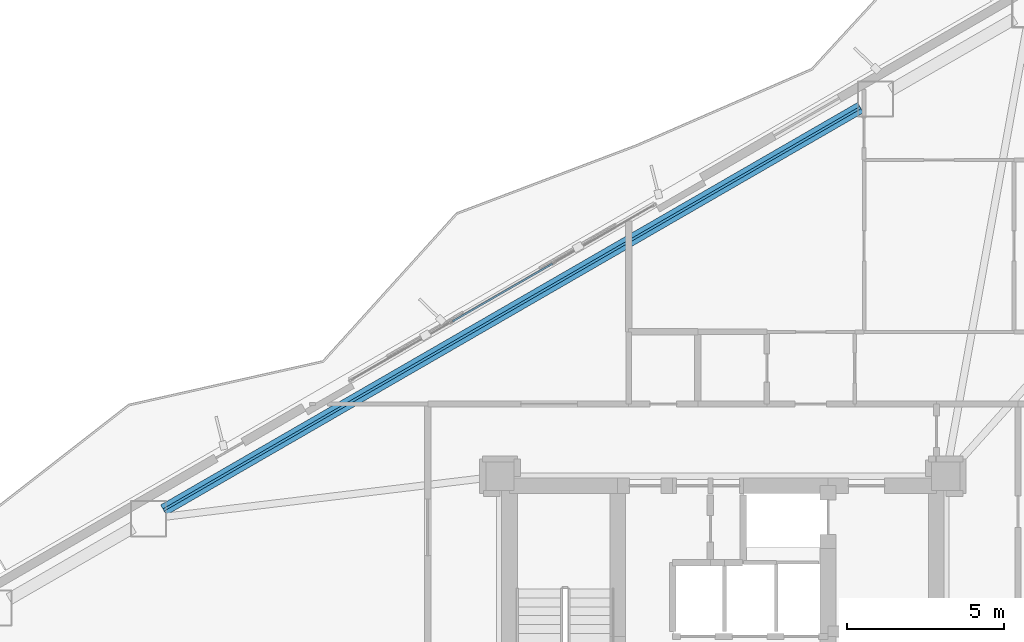
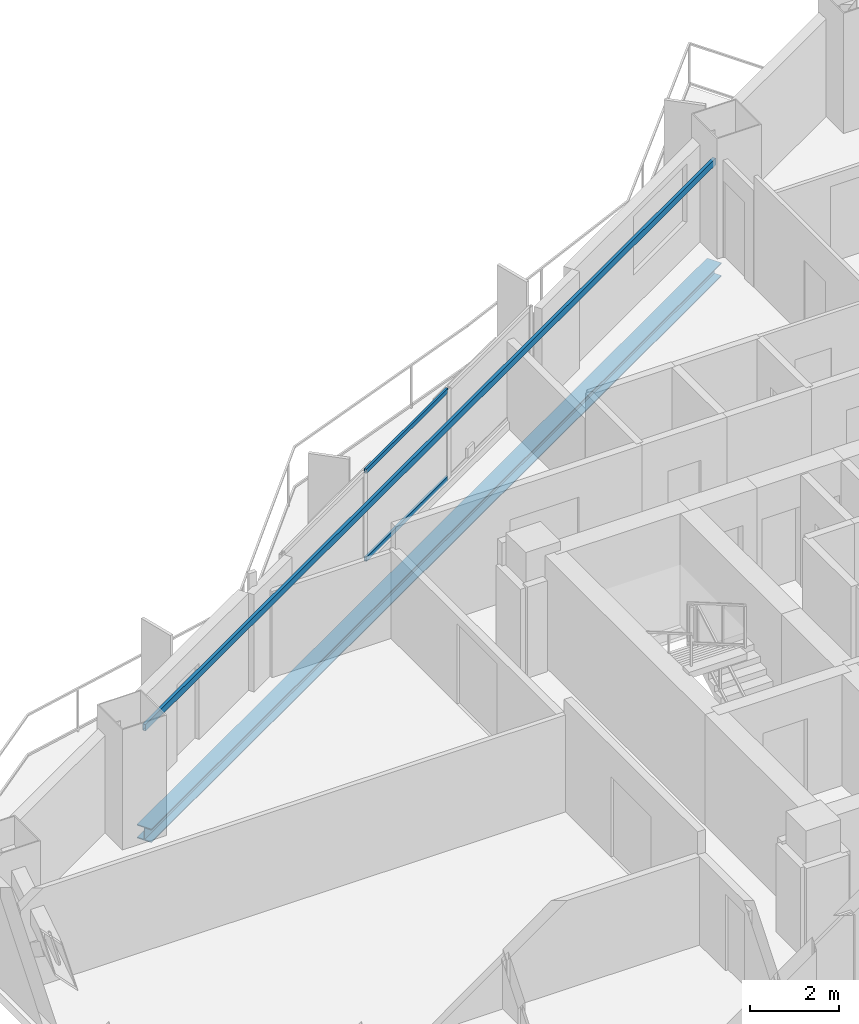
# One storey, part 12 of 22: 2 beams, 2 members, 1 element without a shape of its own.
"""IFC4 building model written with IfcOpenShell, lengths in metres."""

from ifc_helpers import new_model, si_unit, direction, frame, origin, origin_2d, place, context, subcontext, project, spatial, hollow_rectangle, i_section, extrude, material, layer, layer_set, material_profile, profile_set, type_object, element, aggregate, save


model = new_model("IFC4")

# Units and contexts
model_context = context("Model", 3, precision=1e-05, world=origin(), true_north=direction((0.0, 1.0)))
body_context = subcontext(model_context, "Body", "Model", "MODEL_VIEW")
ifc_project = project(units=[si_unit("LENGTHUNIT", "METRE"), si_unit("AREAUNIT", "SQUARE_METRE"), si_unit("VOLUMEUNIT", "CUBIC_METRE"), si_unit("PLANEANGLEUNIT", "RADIAN"), si_unit("MASSUNIT", "GRAM", prefix="KILO")], contexts=[model_context])

# Site, building, storey
site_placement = place(None, origin())
site = spatial("IfcSite", under=ifc_project, at=site_placement, CompositionType="ELEMENT")
building_placement = place(site_placement, origin())
building = spatial("IfcBuilding", under=site, at=building_placement, Name="Mersakhor Tower and Convention Hall", CompositionType="ELEMENT")
storey_placement = place(building_placement, frame((0.0, 0.0, 90.0)))
storey = spatial("IfcBuildingStorey", under=building, at=storey_placement, Name="L24", CompositionType="ELEMENT", Elevation=90.0)

# Beams
ifc_material_1 = material(Name="Steel S355", Category="steel")
ifc_material_profile_1 = material_profile(ifc_material_1, hollow_rectangle(XDim=0.080078125, YDim=0.179931640625, WallThickness=0.008056640625, at=origin_2d()), Name="RHS 180x80x8")
ifc_profile_set_1 = profile_set([ifc_material_profile_1], Name="Steel S355")
beam_type_1 = type_object("IfcBeamType", Name="BM-GRT-RHS180", PredefinedType="USERDEFINED", material=ifc_profile_set_1)
beam_1_placement = place(storey_placement, frame((11.18310546875, 31.976318359375, 2.47998046875), z_axis=(0.866022538643, 0.500004962538, 0.0), x_axis=(-0.500004962538, 0.866022538643, 0.0)))
element("IfcBeam", 1, at=beam_1_placement, inside=storey, type_object=beam_type_1, Name="L24 Facade Support Girt GRT-F1", ObjectType="GIRT", PredefinedType="USERDEFINED", context=body_context, shape_type="SweptSolid", body=[
    extrude(hollow_rectangle(XDim=0.080078125, YDim=0.179931640625, WallThickness=0.008056640625, at=origin_2d()), origin(), (0.0, 0.0, 1.0), 25.633544921875),
])
ifc_material_2 = material(Name="Steel S355", Category="steel")
ifc_material_profile_2 = material_profile(ifc_material_2, i_section(OverallWidth=0.374755859375, OverallDepth=0.37451171875, WebThickness=0.0166015625, FlangeThickness=0.027099609375, at=origin_2d()), Name="UC 356x368x202")
ifc_profile_set_2 = profile_set([ifc_material_profile_2], Name="Steel S355")
beam_type_2 = type_object("IfcBeamType", Name="BM-SPD-UC356", PredefinedType="SPANDREL", material=ifc_profile_set_2)
beam_2_placement = place(storey_placement, frame((11.18310546875, 31.976318359375, -0.437255859375), z_axis=(0.866022538643, 0.500004962538, 0.0), x_axis=(-0.500004962538, 0.866022538643, 0.0)))
element("IfcBeam", 2, at=beam_2_placement, inside=storey, type_object=beam_type_2, Name="L24 Perimeter Spandrel Beam SPB-02", PredefinedType="SPANDREL", context=body_context, shape_type="SweptSolid", body=[
    extrude(i_section(OverallWidth=0.374755859375, OverallDepth=0.37451171875, WebThickness=0.0166015625, FlangeThickness=0.027099609375, at=origin_2d()), origin(), (0.0, 0.0, 1.0), 25.633544921875),
])

# Curtain wall, members
ifc_material_3 = material(Name="Dark solar low-E aluminium curtain wall", Category="aluminium")
ifc_layer = layer(ifc_material_3, 0.159912109375)
ifc_layer_set = layer_set([ifc_layer], Name="Dark solar low-E aluminium curtain wall")
curtain_wall_type = type_object("IfcCurtainWallType", Name="CW-SYS-01", PredefinedType="USERDEFINED", material=ifc_layer_set)
curtain_wall_placement = place(storey_placement, origin())
curtain_wall = element("IfcCurtainWall", 3, at=curtain_wall_placement, inside=storey, type_object=curtain_wall_type, Name="L24 Dark-Glass Curtain Wall F1-B2", ObjectType="CURTAIN WALL", PredefinedType="USERDEFINED")
ifc_material_4 = material(Name="Anodised aluminium EN AW-6063 T6", Category="aluminium")
ifc_material_profile_3 = material_profile(ifc_material_4, hollow_rectangle(XDim=0.06005859375, YDim=0.1201171875, WallThickness=0.0048828125, at=origin_2d()), Name="RHS 120x60x5")
ifc_profile_set_3 = profile_set([ifc_material_profile_3], Name="Anodised aluminium EN AW-6063 T6")
member_type = type_object("IfcMemberType", Name="CWT-120x60", PredefinedType="USERDEFINED", material=ifc_profile_set_3)
member_1_placement = place(storey_placement, frame((20.394287109375, 37.9873046875, 0.22998046875), z_axis=(0.866039286129, 0.499975954304, 0.0), x_axis=(-0.499975954304, 0.866039286129, 0.0)))
member_1 = element("IfcMember", 4, at=member_1_placement, type_object=member_type, Name="CW-01 transom 2.1", ObjectType="TRANSOM", PredefinedType="USERDEFINED", context=body_context, shape_type="SweptSolid", body=[
    extrude(hollow_rectangle(XDim=0.06005859375, YDim=0.1201171875, WallThickness=0.0048828125, at=origin_2d()), origin(), (0.0, 0.0, 1.0), 3.668212890625),
])
member_2_placement = place(storey_placement, frame((20.394287109375, 37.9873046875, 2.639892578125), z_axis=(0.866039286129, 0.499975954304, 0.0), x_axis=(-0.499975954304, 0.866039286129, 0.0)))
member_2 = element("IfcMember", 5, at=member_2_placement, type_object=member_type, Name="CW-01 transom 2.2", ObjectType="TRANSOM", PredefinedType="USERDEFINED", context=body_context, shape_type="SweptSolid", body=[
    extrude(hollow_rectangle(XDim=0.06005859375, YDim=0.1201171875, WallThickness=0.0048828125, at=origin_2d()), origin(), (0.0, 0.0, 1.0), 3.668212890625),
])
aggregate(curtain_wall, [member_1, member_2])

save(model, "model.ifc")
